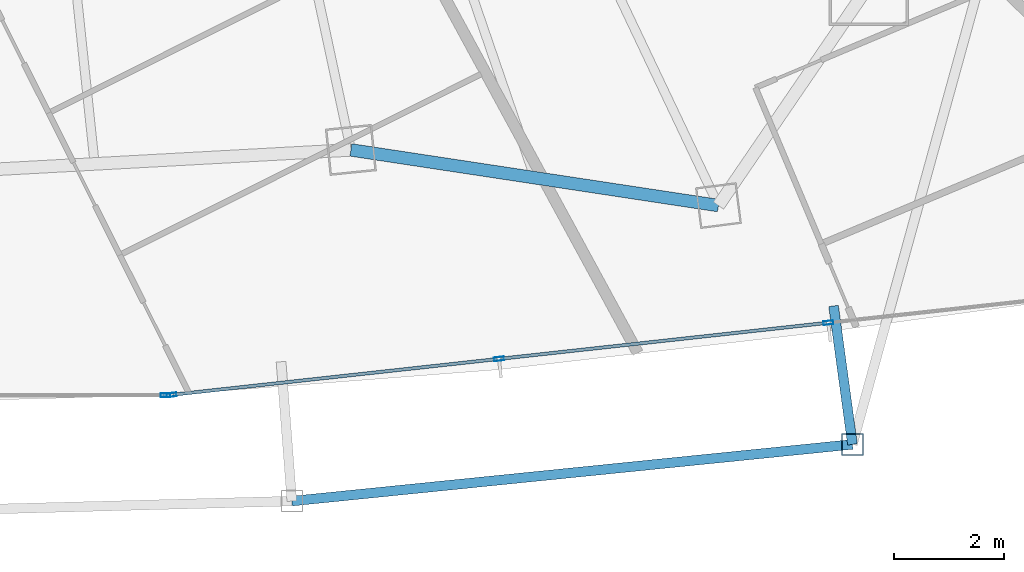
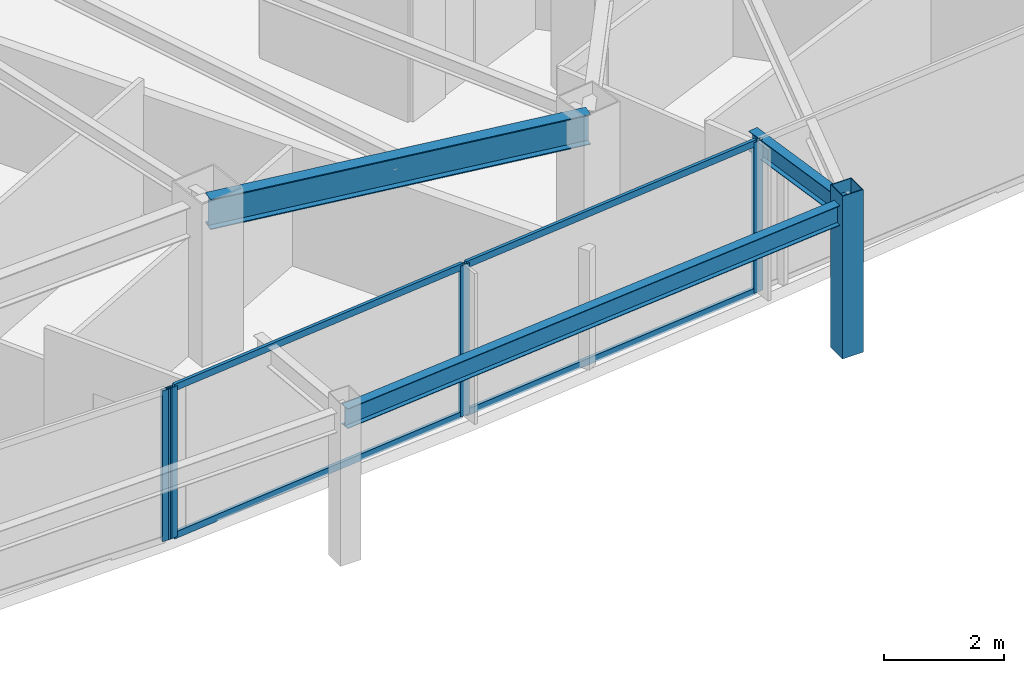
# One storey, part 11 of 31: 9 members, 3 beams, 2 elements without a shape of their own.
"""IFC4 building model written with IfcOpenShell, lengths in metres."""

from ifc_helpers import new_model, si_unit, direction, frame, origin, origin_2d, place, context, subcontext, project, spatial, hollow_rectangle, i_section, extrude, material, layer, layer_set, material_profile, profile_set, type_object, element, aggregate, save


model = new_model("IFC4")

# Units and contexts
model_context = context("Model", 3, precision=1e-05, world=origin(), true_north=direction((0.0, 1.0)))
body_context = subcontext(model_context, "Body", "Model", "MODEL_VIEW")
ifc_project = project(units=[si_unit("LENGTHUNIT", "METRE"), si_unit("AREAUNIT", "SQUARE_METRE"), si_unit("VOLUMEUNIT", "CUBIC_METRE"), si_unit("PLANEANGLEUNIT", "RADIAN"), si_unit("MASSUNIT", "GRAM", prefix="KILO")], contexts=[model_context])

# Site, building, storey
site_placement = place(None, origin())
site = spatial("IfcSite", under=ifc_project, at=site_placement, CompositionType="ELEMENT")
building_placement = place(site_placement, origin())
building = spatial("IfcBuilding", under=site, at=building_placement, Name="Orvanel Arch Residences", CompositionType="ELEMENT")
storey_placement = place(building_placement, frame((0.0, 0.0, 110.0)))
storey = spatial("IfcBuildingStorey", under=building, at=storey_placement, Name="L30", CompositionType="ELEMENT", Elevation=110.0)

# Curtain wall, member
ifc_material_1 = material(Name="Bronze-anodised aluminium AA6063-T6", Category="aluminium")
ifc_layer = layer(ifc_material_1, 0.179931640625)
ifc_layer_set = layer_set([ifc_layer], Name="Bronze-anodised aluminium AA6063-T6")
curtain_wall_type = type_object("IfcCurtainWallType", Name="CW3-MID-SYS", PredefinedType="NOTDEFINED", material=ifc_layer_set)
curtain_wall_1_placement = place(storey_placement, origin())
curtain_wall_1 = element("IfcCurtainWall", 1, at=curtain_wall_1_placement, inside=storey, type_object=curtain_wall_type, Name="L30 CW3-MID-SYS Unitised Curtain Wall", PredefinedType="NOTDEFINED")
ifc_material_profile_1 = material_profile(ifc_material_1, hollow_rectangle(XDim=0.070068359375, YDim=0.179931640625, WallThickness=0.00439453125, at=origin_2d()), Name="ALU180x70x4.5")
ifc_profile_set_1 = profile_set([ifc_material_profile_1], Name="Bronze-anodised aluminium AA6063-T6")
member_type_1 = type_object("IfcMemberType", Name="MUL-180x70", PredefinedType="MULLION", material=ifc_profile_set_1)
member_1_placement = place(storey_placement, frame((38.968017578125, 2.87890625, 0.0), z_axis=(0.0, 0.0, 1.0), x_axis=(0.0, 1.0, 0.0)))
member_1 = element("IfcMember", 2, at=member_1_placement, type_object=member_type_1, Name="CW-S3 mullion 3", PredefinedType="MULLION", context=body_context, shape_type="SweptSolid", body=[
    extrude(hollow_rectangle(XDim=0.070068359375, YDim=0.179931640625, WallThickness=0.00439453125, at=origin_2d()), origin(), (0.0, 0.0, 1.0), 3.06005859375),
])
aggregate(curtain_wall_1, [member_1])

# Curtain wall, members
curtain_wall_2_placement = place(storey_placement, origin())
curtain_wall_2 = element("IfcCurtainWall", 3, at=curtain_wall_2_placement, inside=storey, type_object=curtain_wall_type, Name="L30 CW3-MID-SYS Unitised Curtain Wall", PredefinedType="NOTDEFINED")
member_2_placement = place(storey_placement, frame((39.077880859375, 2.884765625, 0.0), z_axis=(0.0, 0.0, 1.0), x_axis=(-0.109154736008, 0.994024770117, 0.0)))
member_2 = element("IfcMember", 4, at=member_2_placement, type_object=member_type_1, Name="CW-S3 mullion 1", PredefinedType="MULLION", context=body_context, shape_type="SweptSolid", body=[
    extrude(hollow_rectangle(XDim=0.070068359375, YDim=0.179931640625, WallThickness=0.00439453125, at=origin_2d()), origin(), (0.0, 0.0, 1.0), 3.06005859375),
])
member_3_placement = place(storey_placement, frame((45.05322265625, 3.541015625, 0.0), z_axis=(0.0, 0.0, 1.0), x_axis=(-0.109154736008, 0.994024770117, 0.0)))
member_3 = element("IfcMember", 5, at=member_3_placement, type_object=member_type_1, Name="CW-S3 mullion 2", PredefinedType="MULLION", context=body_context, shape_type="SweptSolid", body=[
    extrude(hollow_rectangle(XDim=0.070068359375, YDim=0.179931640625, WallThickness=0.00439453125, at=origin_2d()), origin(), (0.0, 0.0, 1.0), 3.06005859375),
])
member_4_placement = place(storey_placement, frame((51.063720703125, 4.200927734375, 0.0), z_axis=(0.0, 0.0, 1.0), x_axis=(-0.109154736008, 0.994024770117, 0.0)))
member_4 = element("IfcMember", 6, at=member_4_placement, type_object=member_type_1, Name="CW-S3 mullion 3", PredefinedType="MULLION", context=body_context, shape_type="SweptSolid", body=[
    extrude(hollow_rectangle(XDim=0.070068359375, YDim=0.179931640625, WallThickness=0.00439453125, at=origin_2d()), origin(), (0.0, 0.0, 1.0), 3.06005859375),
])

# Beams
ifc_material_2 = material(Name="Structural steel AS/NZS 3679.1 Grade 300 (300 MPa)", Category="steel")
ifc_material_profile_2 = material_profile(ifc_material_2, i_section(OverallWidth=0.177978515625, OverallDepth=0.406005859375, WebThickness=0.0078125, FlangeThickness=0.0126953125, at=origin_2d()), Name="410UB59.7")
ifc_profile_set_2 = profile_set([ifc_material_profile_2], Name="Structural steel AS/NZS 3679.1 Grade 300 (300 MPa)")
beam_type_1 = type_object("IfcBeamType", Name="OB-410UB-EXT", PredefinedType="SPANDREL", material=ifc_profile_set_2)
beam_1_placement = place(storey_placement, frame((41.27392578125, 0.946044921875, 2.85693359375), z_axis=(0.994922767313, 0.100641378577, 0.0), x_axis=(-0.100641378577, 0.994922767313, 0.0)))
element("IfcBeam", 7, at=beam_1_placement, inside=storey, type_object=beam_type_1, Name="L30 Outer Perimeter Floor Ring Beam 07", PredefinedType="SPANDREL", context=body_context, shape_type="SweptSolid", body=[
    extrude(i_section(OverallWidth=0.177978515625, OverallDepth=0.406005859375, WebThickness=0.0078125, FlangeThickness=0.0126953125, at=origin_2d()), origin(), (0.0, 0.0, 1.0), 10.283203125),
])
beam_2_placement = place(storey_placement, frame((51.159912109375, 4.508056640625, 2.85693359375), z_axis=(0.13525416411, -0.990810936098, 0.0), x_axis=(0.990810936098, 0.13525416411, 0.0)))
element("IfcBeam", 8, at=beam_2_placement, inside=storey, type_object=beam_type_1, Name="L30 Outer Frame Radial Tie Beam 08", PredefinedType="SPANDREL", context=body_context, shape_type="SweptSolid", body=[
    extrude(i_section(OverallWidth=0.177978515625, OverallDepth=0.406005859375, WebThickness=0.0078125, FlangeThickness=0.0126953125, at=origin_2d()), origin(), (0.0, 0.0, 1.0), 2.550537109375),
])
ifc_material_profile_3 = material_profile(ifc_material_2, i_section(OverallWidth=0.22900390625, OverallDepth=0.612060546875, WebThickness=0.011962890625, FlangeThickness=0.01953125, at=origin_2d()), Name="610UB125")
ifc_profile_set_3 = profile_set([ifc_material_profile_3], Name="Structural steel AS/NZS 3679.1 Grade 300 (300 MPa)")
beam_type_2 = type_object("IfcBeamType", Name="SP-610UB", PredefinedType="SPANDREL", material=ifc_profile_set_3)
beam_3_placement = place(storey_placement, frame((42.35107421875, 7.35498046875, 2.75390625), z_axis=(0.988726323014, -0.149733958002, 0.0), x_axis=(0.149733958002, 0.988726323014, 0.0)))
element("IfcBeam", 9, at=beam_3_placement, inside=storey, type_object=beam_type_2, Name="L30 Perimeter Spandrel Beam 07", PredefinedType="SPANDREL", context=body_context, shape_type="SweptSolid", body=[
    extrude(i_section(OverallWidth=0.22900390625, OverallDepth=0.612060546875, WebThickness=0.011962890625, FlangeThickness=0.01953125, at=origin_2d()), origin(), (0.0, 0.0, 1.0), 6.784423828125),
])

# Member
ifc_material_3 = material(Name="Structural steel AS/NZS 1163 C450L0 (Grade 450)", Category="steel")
ifc_material_profile_4 = material_profile(ifc_material_3, hollow_rectangle(XDim=0.39990234375, YDim=0.39990234375, WallThickness=0.01611328125, at=origin_2d()), Name="SHS400x400x16")
ifc_profile_set_4 = profile_set([ifc_material_profile_4], Name="Structural steel AS/NZS 1163 C450L0 (Grade 450)")
member_type_2 = type_object("IfcMemberType", Name="ST-400SHS-EXT", PredefinedType="STRUT", material=ifc_profile_set_4)
member_5_placement = place(storey_placement, frame((51.5048828125, 1.98095703125, 0.0), z_axis=(0.0, 0.0, 1.0), x_axis=(1.0, 0.0, 0.0)))
element("IfcMember", 10, at=member_5_placement, inside=storey, type_object=member_type_2, Name="L30 Outer Perimeter Frame Post 08", PredefinedType="STRUT", context=body_context, shape_type="SweptSolid", body=[
    extrude(hollow_rectangle(XDim=0.39990234375, YDim=0.39990234375, WallThickness=0.01611328125, at=origin_2d()), origin(), (0.0, 0.0, 1.0), 3.300048828125),
])

ifc_material_profile_5 = material_profile(ifc_material_1, hollow_rectangle(XDim=0.06005859375, YDim=0.135009765625, WallThickness=0.00390625, at=origin_2d()), Name="ALU135x60x4")
ifc_profile_set_5 = profile_set([ifc_material_profile_5], Name="Bronze-anodised aluminium AA6063-T6")
member_type_3 = type_object("IfcMemberType", Name="TRN-135x60", PredefinedType="USERDEFINED", material=ifc_profile_set_5)
member_6_placement = place(storey_placement, frame((39.112548828125, 2.888671875, 0.030029296875), z_axis=(0.994026709515, 0.109137073311, 0.0), x_axis=(-0.109137073311, 0.994026709515, 0.0)))
member_6 = element("IfcMember", 11, at=member_6_placement, type_object=member_type_3, Name="CW-S3 transom 1.1", ObjectType="TRANSOM", PredefinedType="USERDEFINED", context=body_context, shape_type="SweptSolid", body=[
    extrude(hollow_rectangle(XDim=0.06005859375, YDim=0.135009765625, WallThickness=0.00390625, at=origin_2d()), origin(), (0.0, 0.0, 1.0), 5.94140625),
])

member_7_placement = place(storey_placement, frame((39.112548828125, 2.888671875, 3.030029296875), z_axis=(0.994026709515, 0.109137073311, 0.0), x_axis=(-0.109137073311, 0.994026709515, 0.0)))
member_7 = element("IfcMember", 12, at=member_7_placement, type_object=member_type_3, Name="CW-S3 transom 1.2", ObjectType="TRANSOM", PredefinedType="USERDEFINED", context=body_context, shape_type="SweptSolid", body=[
    extrude(hollow_rectangle(XDim=0.06005859375, YDim=0.135009765625, WallThickness=0.00390625, at=origin_2d()), origin(), (0.0, 0.0, 1.0), 5.94140625),
])

member_8_placement = place(storey_placement, frame((45.088134765625, 3.544921875, 0.030029296875), z_axis=(0.994024894995, 0.109153598793, 0.0), x_axis=(-0.109153598793, 0.994024894995, 0.0)))
member_8 = element("IfcMember", 13, at=member_8_placement, type_object=member_type_3, Name="CW-S3 transom 2.1", ObjectType="TRANSOM", PredefinedType="USERDEFINED", context=body_context, shape_type="SweptSolid", body=[
    extrude(hollow_rectangle(XDim=0.06005859375, YDim=0.135009765625, WallThickness=0.00390625, at=origin_2d()), origin(), (0.0, 0.0, 1.0), 5.976318359375),
])

member_9_placement = place(storey_placement, frame((45.088134765625, 3.544921875, 3.030029296875), z_axis=(0.994024894995, 0.109153598793, 0.0), x_axis=(-0.109153598793, 0.994024894995, 0.0)))
member_9 = element("IfcMember", 14, at=member_9_placement, type_object=member_type_3, Name="CW-S3 transom 2.2", ObjectType="TRANSOM", PredefinedType="USERDEFINED", context=body_context, shape_type="SweptSolid", body=[
    extrude(hollow_rectangle(XDim=0.06005859375, YDim=0.135009765625, WallThickness=0.00390625, at=origin_2d()), origin(), (0.0, 0.0, 1.0), 5.976318359375),
])

aggregate(curtain_wall_2, [member_2, member_3, member_4, member_6, member_7, member_8, member_9])

save(model, "model.ifc")
